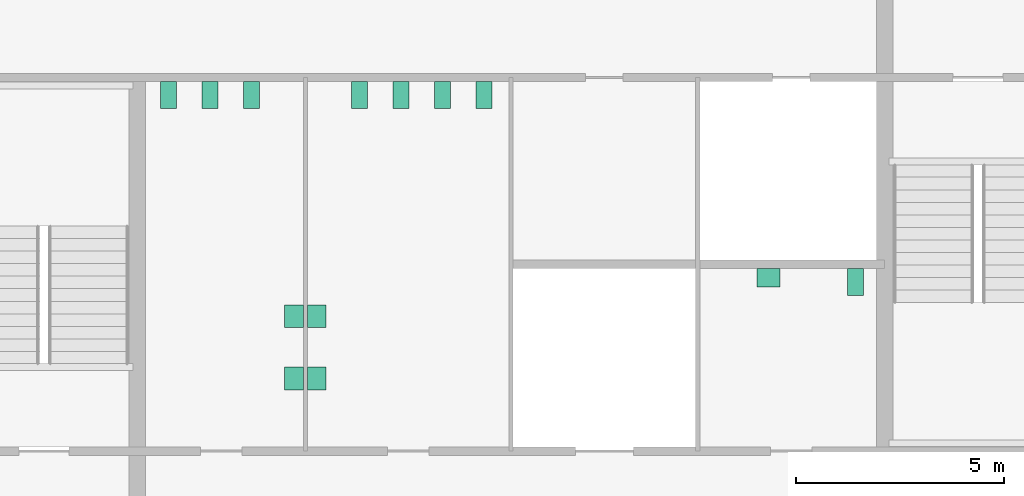
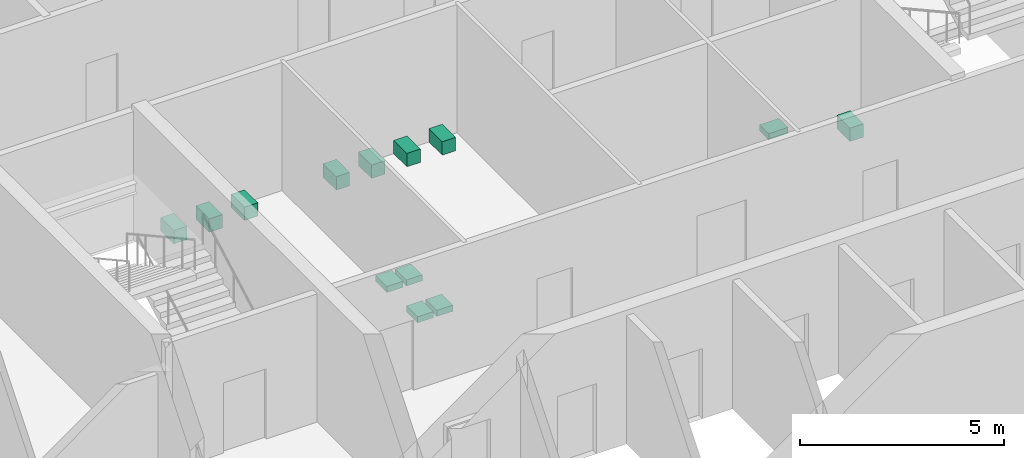
# One storey, part 14 of 14: 13 sanitary terminals.
"""IFC4 building model written with IfcOpenShell, lengths in metres."""

from ifc_helpers import new_model, si_unit, direction, frame, origin, origin_2d, place, context, subcontext, project, spatial, rectangle, extrude, material, type_object, element, save


model = new_model("IFC4")

# Units and contexts
model_context = context("Model", 3, precision=1e-05, world=origin(), true_north=direction((0.0, 1.0)))
body_context = subcontext(model_context, "Body", "Model", "MODEL_VIEW")
ifc_project = project(units=[si_unit("LENGTHUNIT", "METRE"), si_unit("AREAUNIT", "SQUARE_METRE"), si_unit("VOLUMEUNIT", "CUBIC_METRE"), si_unit("PLANEANGLEUNIT", "RADIAN"), si_unit("MASSUNIT", "GRAM", prefix="KILO")], contexts=[model_context])

# Site, building, storey
site_placement = place(None, origin())
site = spatial("IfcSite", under=ifc_project, at=site_placement, CompositionType="ELEMENT")
building_placement = place(site_placement, origin())
building = spatial("IfcBuilding", under=site, at=building_placement, Name="Corais Broadcast Tower", CompositionType="ELEMENT")
storey_placement = place(building_placement, frame((0.0, 0.0, 214.60009765625)))
storey = spatial("IfcBuildingStorey", under=building, at=storey_placement, Name="L49", CompositionType="ELEMENT", Elevation=214.60009765625)

# Sanitary terminals
ifc_material_1 = material(Name="Vitreous china", Category="ceramic")
sanitary_terminal_type_1 = type_object("IfcSanitaryTerminalType", Name="WC pan 380x650", PredefinedType="TOILETPAN", material=ifc_material_1)
for number, where, z_axis, x_axis, name in (
    (1, (18.75, 31.074951171875, 0.0), (0.0, 0.0, 1.0), (1.0, 0.0, 0.0), "SW1 WC pan, male toilets L49"),
    (2, (19.75, 31.074951171875, 0.0), (0.0, 0.0, 1.0), (1.0, 0.0, 0.0), "SW1 WC pan, male toilets L49"),
    (3, (20.75, 31.074951171875, 0.0), (0.0, 0.0, 1.0), (1.0, 0.0, 0.0), "SW1 WC pan, male toilets L49"),
    (4, (23.35009765625, 31.074951171875, 0.0), (0.0, 0.0, 1.0), (1.0, 0.0, 0.0), "SW1 WC pan, female toilets L49"),
    (5, (24.35009765625, 31.074951171875, 0.0), (0.0, 0.0, 1.0), (1.0, 0.0, 0.0), "SW1 WC pan, female toilets L49"),
    (6, (25.35009765625, 31.074951171875, 0.0), (0.0, 0.0, 1.0), (1.0, 0.0, 0.0), "SW1 WC pan, female toilets L49"),
    (7, (26.35009765625, 31.074951171875, 0.0), (0.0, 0.0, 1.0), (1.0, 0.0, 0.0), "SW1 WC pan, female toilets L49"),
    (8, (35.300048828125, 26.574951171875, 0.0), (0.0, 0.0, 1.0), (1.0, 0.0, 0.0), "SW1 WC pan, accessible WC L49"),
):
    element("IfcSanitaryTerminal", number, at=place(storey_placement, frame(where, z_axis=z_axis, x_axis=x_axis)), inside=storey, type_object=sanitary_terminal_type_1, Name=name, PredefinedType="TOILETPAN", context=body_context, shape_type="SweptSolid", body=[
        extrude(rectangle(XDim=0.3798828125, YDim=0.64990234375, at=origin_2d()), origin(), (0.0, 0.0, 1.0), 0.39990234375),
    ])
ifc_material_2 = material(Name="Vitreous china", Category="ceramic")
sanitary_terminal_type_2 = type_object("IfcSanitaryTerminalType", Name="Wash basin 550x450", PredefinedType="WASHHANDBASIN", material=ifc_material_2)
for number, where, z_axis, x_axis, name in (
    (9, (21.77490234375, 24.25, 0.69970703125), (0.0, 0.0, 1.0), (1.0, 0.0, 0.0), "WB1 wash basin, male toilets L49"),
    (10, (21.77490234375, 25.75, 0.69970703125), (0.0, 0.0, 1.0), (1.0, 0.0, 0.0), "WB1 wash basin, male toilets L49"),
    (11, (22.324951171875, 24.25, 0.69970703125), (0.0, 0.0, 1.0), (1.0, 0.0, 0.0), "WB1 wash basin, female toilets L49"),
    (12, (22.324951171875, 25.75, 0.69970703125), (0.0, 0.0, 1.0), (1.0, 0.0, 0.0), "WB1 wash basin, female toilets L49"),
):
    element("IfcSanitaryTerminal", number, at=place(storey_placement, frame(where, z_axis=z_axis, x_axis=x_axis)), inside=storey, type_object=sanitary_terminal_type_2, Name=name, PredefinedType="WASHHANDBASIN", context=body_context, shape_type="SweptSolid", body=[
        extrude(rectangle(XDim=0.449951171875, YDim=0.550048828125, at=origin_2d()), origin(), (0.0, 0.0, 1.0), 0.179931640625),
    ])
sanitary_terminal_placement = place(storey_placement, frame((33.199951171875, 26.675048828125, 0.69970703125), z_axis=(0.0, 0.0, 1.0), x_axis=(1.0, 0.0, 0.0)))
element("IfcSanitaryTerminal", 13, at=sanitary_terminal_placement, inside=storey, type_object=sanitary_terminal_type_2, Name="WB1 wash basin, accessible WC L49", PredefinedType="WASHHANDBASIN", context=body_context, shape_type="SweptSolid", body=[
    extrude(rectangle(XDim=0.550048828125, YDim=0.449951171875, at=origin_2d()), origin(), (0.0, 0.0, 1.0), 0.179931640625),
])

save(model, "model.ifc")
